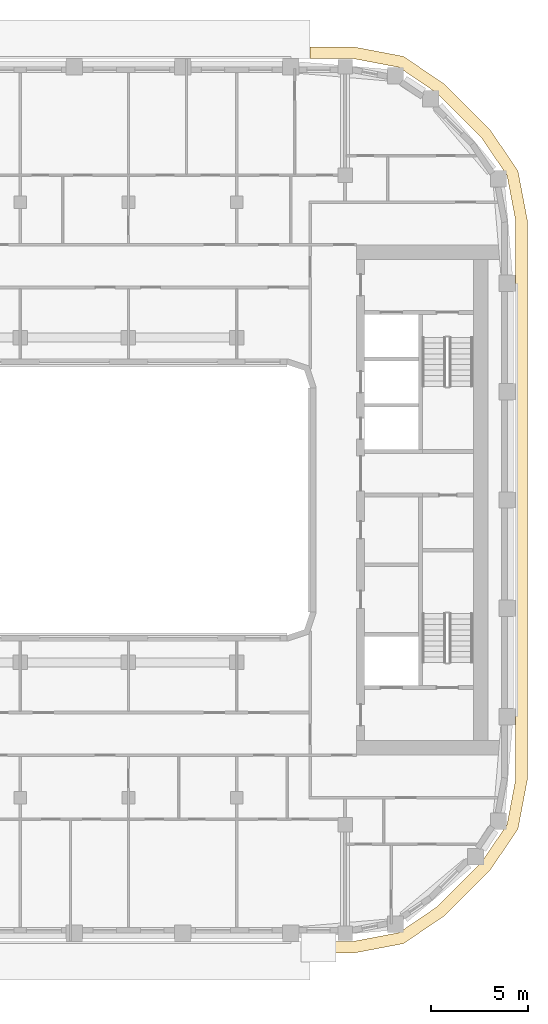
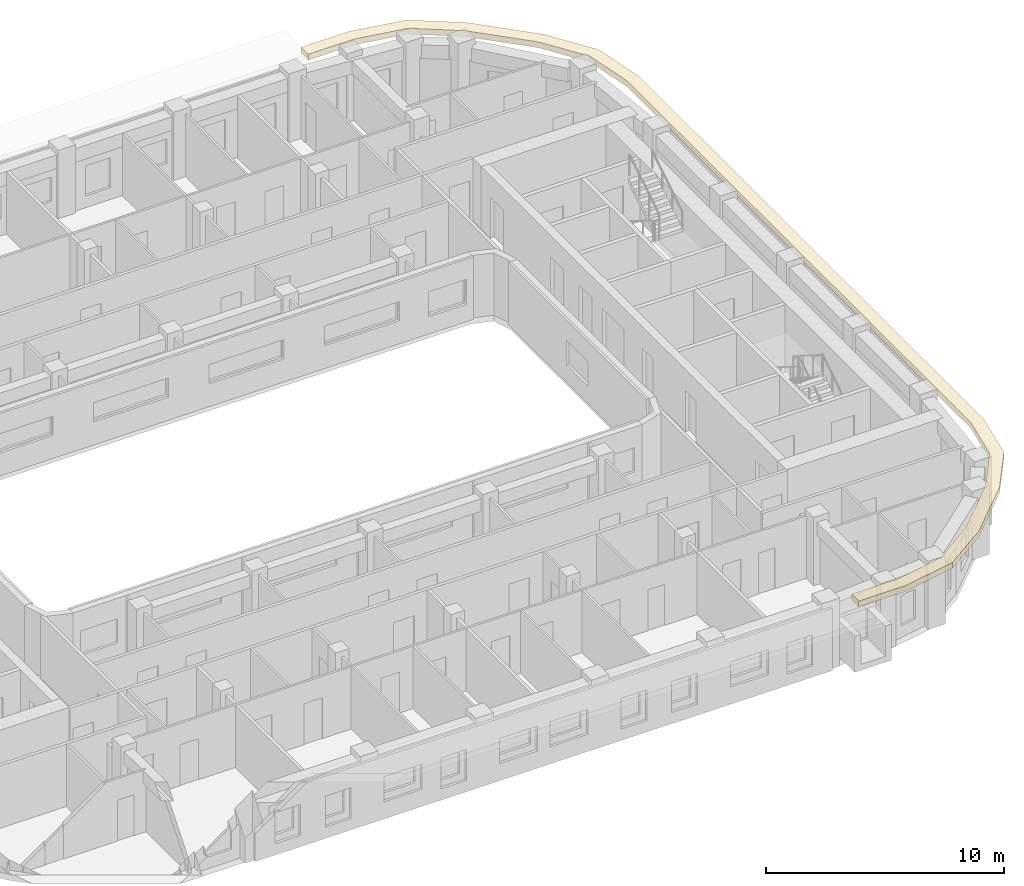
# One storey, part 17 of 21: 1 covering.
"""IFC4 building model written with IfcOpenShell, lengths in metres."""

import ifcopenshell
import ifcopenshell.guid

model = None  # the IFC model being written
_history = None  # IfcOwnerHistory: only IFC2X3 demands one
_inside = {}  # id of a spatial element -> (the spatial element, [elements in it])
_under = {}  # id of a project, library or spatial element -> (it, [spatial elements below it])
_declared = {}  # id of a project -> (the project, [libraries it declares])
_typed = {}  # id of a type object -> (the type object, [elements of that type])
_made_of = {}  # id of a material, layer set ... -> (it, [elements and type objects made of it])


def new_model(schema):
    """Start an empty IFC model of exactly this schema.

    Asked for "IFC4X3", IfcOpenShell would pick the latest addendum, in which some entities
    have other attributes; the version numbers below select the first issue.
    IFC2X3 requires an IfcOwnerHistory on every rooted entity: one is made here for all.
    """
    global model, _history
    if schema == "IFC4X3":
        model = ifcopenshell.file(schema_version=(4, 3, 0, 0))
    else:
        model = ifcopenshell.file(schema=schema)
    _inside.clear()
    _under.clear()
    _declared.clear()
    _typed.clear()
    _made_of.clear()
    _history = None
    if model.schema == "IFC2X3":
        org = make("IfcOrganization", Name="unknown")
        user = make(
            "IfcPersonAndOrganization",
            ThePerson=make("IfcPerson", FamilyName="unknown"),
            TheOrganization=org,
        )
        app = make(
            "IfcApplication",
            ApplicationDeveloper=org,
            Version="unknown",
            ApplicationFullName="unknown",
            ApplicationIdentifier="unknown",
        )
        _history = make(
            "IfcOwnerHistory",
            OwningUser=user,
            OwningApplication=app,
            ChangeAction="ADDED",
            CreationDate=0,
        )
    return model


def make(cls, **values):
    """One entity of the class cls with the attributes given. An attribute that is None is left unset."""
    return model.create_entity(
        cls, **{name: value for name, value in values.items() if value is not None}
    )


def rooted(cls, **values):
    """An entity with a GlobalId (a new one), such as an element, a storey or a relation."""
    return make(cls, GlobalId=ifcopenshell.guid.new(), OwnerHistory=_history, **values)


def si_unit(unit_type, name, prefix=None):
    """IfcSIUnit, for example si_unit("LENGTHUNIT", "METRE", prefix="MILLI")."""
    return make("IfcSIUnit", UnitType=unit_type, Prefix=prefix, Name=name)


def assignment(units):
    """IfcUnitAssignment: the units of a project."""
    return None if units is None else make("IfcUnitAssignment", Units=units)


def point(xyz):
    """IfcCartesianPoint."""
    return None if xyz is None else make("IfcCartesianPoint", Coordinates=xyz)


def direction(xyz):
    """IfcDirection."""
    return None if xyz is None else make("IfcDirection", DirectionRatios=xyz)


def frame(location, z_axis=None, x_axis=None):
    """IfcAxis2Placement3D, a coordinate frame: its origin and axes. An axis left out is left unset."""
    return make(
        "IfcAxis2Placement3D",
        Location=point(location),
        Axis=direction(z_axis),
        RefDirection=direction(x_axis),
    )


def origin():
    """The frame at (0, 0, 0) with its axes left unset."""
    return frame((0.0, 0.0, 0.0))


def place(relative_to, where):
    """IfcLocalPlacement: puts the frame where relative to a parent placement (None: the world)."""
    return make(
        "IfcLocalPlacement", PlacementRelTo=relative_to, RelativePlacement=where
    )


def context(
    kind, dimensions, precision=None, world=None, true_north=None, identifier=None
):
    """IfcGeometricRepresentationContext, for example the 3D "Model" context."""
    return make(
        "IfcGeometricRepresentationContext",
        ContextIdentifier=identifier,
        ContextType=kind,
        CoordinateSpaceDimension=dimensions,
        Precision=precision,
        WorldCoordinateSystem=world,
        TrueNorth=true_north,
    )


def subcontext(parent, identifier, kind, view, scale=None):
    """IfcGeometricRepresentationSubContext, for example "Body" below "Model"."""
    return make(
        "IfcGeometricRepresentationSubContext",
        ContextIdentifier=identifier,
        ContextType=kind,
        ParentContext=parent,
        TargetScale=scale,
        TargetView=view,
    )


def project(units=None, contexts=None):
    """IfcProject with its units and contexts."""
    return rooted(
        "IfcProject",
        Name="project",
        RepresentationContexts=contexts,
        UnitsInContext=assignment(units),
    )


def spatial(cls, under=None, at=None, **own):
    """A site, building, storey or space (cls), placed at a placement, below another one or the project."""
    s = rooted(cls, ObjectPlacement=at, **own)
    if under is not None:
        _under.setdefault(under.id(), (under, []))[1].append(s)
    return s


def polyline(points):
    """IfcPolyline through the points."""
    return make("IfcPolyline", Points=[point(p) for p in points])


def outline(outer, holes=None, kind="AREA"):
    """IfcArbitraryClosedProfileDef: a profile drawn as a closed curve; with holes, ...WithVoids."""
    if holes is None:
        return make("IfcArbitraryClosedProfileDef", ProfileType=kind, OuterCurve=outer)
    return make(
        "IfcArbitraryProfileDefWithVoids",
        ProfileType=kind,
        OuterCurve=outer,
        InnerCurves=holes,
    )


def extrude(swept, where, along, depth):
    """IfcExtrudedAreaSolid: the profile swept, set in the frame where, extruded along a direction by depth."""
    return make(
        "IfcExtrudedAreaSolid",
        SweptArea=swept,
        Position=where,
        ExtrudedDirection=direction(along),
        Depth=depth,
    )


def shape(context_of_items, identifier, shape_type, items):
    """IfcShapeRepresentation: the items that make up one representation, for example the "Body"."""
    return make(
        "IfcShapeRepresentation",
        ContextOfItems=context_of_items,
        RepresentationIdentifier=identifier,
        RepresentationType=shape_type,
        Items=items,
    )


def material(Name=None, Category=None):
    """IfcMaterial."""
    return make("IfcMaterial", Name=Name, Category=Category)


def layer(
    of_material, thickness, ventilated=None, Name=None, Category=None, Priority=None
):
    """IfcMaterialLayer: one layer of a wall or slab, of a material (None: an air gap)."""
    return make(
        "IfcMaterialLayer",
        Material=of_material,
        LayerThickness=thickness,
        IsVentilated=ventilated,
        Name=Name,
        Category=Category,
        Priority=Priority,
    )


def layer_set(layers, Name=None):
    """IfcMaterialLayerSet."""
    return make("IfcMaterialLayerSet", MaterialLayers=layers, LayerSetName=Name)


def made_of(thing, what):
    """Note that an element or type object is made of a material, layer set ...; save() writes the relation."""
    if what is not None:
        _made_of.setdefault(what.id(), (what, []))[1].append(thing)
    return thing


def type_object(cls, material=None, **own):
    """A type object (cls), such as IfcWallType, which elements share."""
    return made_of(rooted(cls, **own), material)


def element(
    cls,
    number,
    at=None,
    inside=None,
    cuts=None,
    type_object=None,
    material=None,
    context=None,
    identifier="Body",
    shape_type=None,
    held_by="IfcProductDefinitionShape",
    body=None,
    shapes=None,
    **own,
):
    """One element of the class cls, such as IfcWall. Its Tag is "e" and its number.

    at: its placement. inside: the storey or other place that contains it. cuts: it is an
    opening in that element (IfcRelVoidsElement). A single representation is given by context,
    identifier, shape_type and body (its items); several are given by shapes. held_by: the class
    of the entity that holds the representations. save() writes the other relations.
    """
    e = rooted(cls, Tag="e%d" % number, ObjectPlacement=at, **own)
    if body is not None:
        shapes = [shape(context, identifier, shape_type, body)]
    if shapes is not None:
        e.Representation = make(held_by, Representations=shapes)
    if inside is not None:
        _inside.setdefault(inside.id(), (inside, []))[1].append(e)
    if cuts is not None:
        rooted(
            "IfcRelVoidsElement", RelatingBuildingElement=cuts, RelatedOpeningElement=e
        )
    if type_object is not None:
        _typed.setdefault(type_object.id(), (type_object, []))[1].append(e)
    return made_of(e, material)


def aggregate(whole, parts):
    """IfcRelAggregates: a whole, such as a stair, and the parts it consists of."""
    return rooted("IfcRelAggregates", RelatingObject=whole, RelatedObjects=parts)


def save(model, path):
    """Write the relations noted so far, then the file.

    IfcRelAggregates (storeys below a building ...), IfcRelContainedInSpatialStructure (elements
    in a storey), IfcRelDefinesByType, IfcRelAssociatesMaterial and IfcRelDeclares: one each for
    every whole, place, type object, material and project.
    """
    for whole, parts in _under.values():
        aggregate(whole, parts)
    for where, things in _inside.values():
        rooted(
            "IfcRelContainedInSpatialStructure",
            RelatedElements=things,
            RelatingStructure=where,
        )
    for kind, things in _typed.values():
        rooted("IfcRelDefinesByType", RelatedObjects=things, RelatingType=kind)
    for what, things in _made_of.values():
        rooted("IfcRelAssociatesMaterial", RelatedObjects=things, RelatingMaterial=what)
    for by, libraries in _declared.values():
        rooted("IfcRelDeclares", RelatingContext=by, RelatedDefinitions=libraries)
    model.write(path)


model = new_model("IFC4")

# Units and contexts
model_context = context("Model", 3, precision=1e-05, world=origin(), true_north=direction((0.0, 1.0)))
body_context = subcontext(model_context, "Body", "Model", "MODEL_VIEW")
ifc_project = project(units=[si_unit("LENGTHUNIT", "METRE"), si_unit("AREAUNIT", "SQUARE_METRE"), si_unit("VOLUMEUNIT", "CUBIC_METRE"), si_unit("PLANEANGLEUNIT", "RADIAN"), si_unit("MASSUNIT", "GRAM", prefix="KILO")], contexts=[model_context])

# Site, building, storey
site_placement = place(None, origin())
site = spatial("IfcSite", under=ifc_project, at=site_placement, CompositionType="ELEMENT")
building_placement = place(site_placement, origin())
building = spatial("IfcBuilding", under=site, at=building_placement, Name="Kiln Ring Residences", CompositionType="ELEMENT")
storey_placement = place(building_placement, frame((0.0, 0.0, 216.89990234375)))
storey = spatial("IfcBuildingStorey", under=building, at=storey_placement, Name="L56", CompositionType="ELEMENT", Elevation=216.89990234375)

# Covering
ifc_material = material(Name="Black powder-coated steel", Category="steel")
ifc_layer = layer(ifc_material, 0.300048828125)
ifc_layer_set = layer_set([ifc_layer], Name="SUNSHADE FIN 600")
covering_type = type_object("IfcCoveringType", Name="SUNSHADE FIN 600", PredefinedType="CLADDING", material=ifc_layer_set)
covering_placement = place(storey_placement, frame((0.0, 0.0, 3.2001953125)))
element("IfcCovering", 1, at=covering_placement, inside=storey, type_object=covering_type, Name="SUNSHADE FIN L56", PredefinedType="CLADDING", context=body_context, shape_type="SweptSolid", body=[
    extrude(outline(polyline([(17.296875, 23.425048828125), (15.0, 23.425048828125), (15.0, 22.824951171875), (17.240234375, 22.824951171875), (19.59033203125, 22.376708984375), (21.569091796875, 21.031982421875), (23.831787109375, 18.769287109375), (25.1767578125, 16.790283203125), (25.625, 14.440185546875), (25.625, -14.440185546875), (25.1767578125, -16.790283203125), (23.831787109375, -18.769287109375), (21.569091796875, -21.031982421875), (19.59033203125, -22.376708984375), (17.240234375, -22.824951171875), (15.0, -22.824951171875), (15.0, -23.425048828125), (17.296875, -23.425048828125), (19.82470703125, -22.94287109375), (21.953369140625, -21.49609375), (24.296142578125, -19.1533203125), (25.742919921875, -17.02490234375), (26.22509765625, -14.496826171875), (26.22509765625, 14.496826171875), (25.742919921875, 17.02490234375), (24.296142578125, 19.1533203125), (21.953369140625, 21.49609375), (19.82470703125, 22.94287109375), (17.296875, 23.425048828125)])), origin(), (0.0, 0.0, 1.0), 0.2998046875),
])

save(model, "model.ifc")
